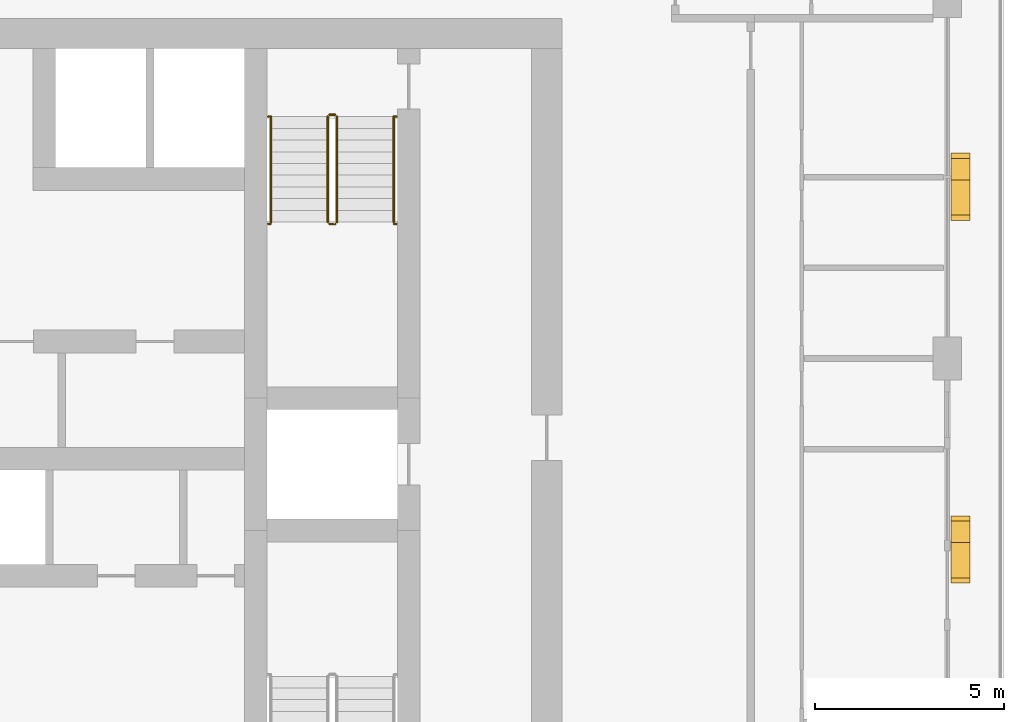
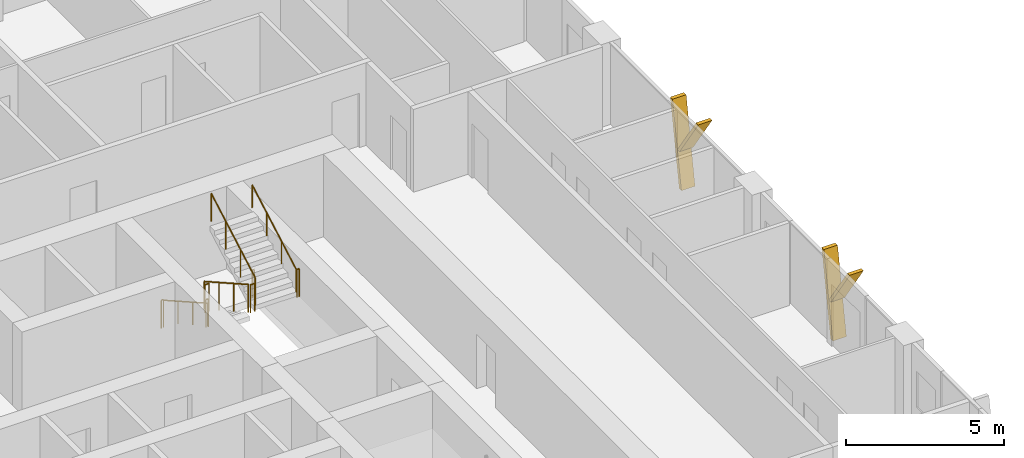
# One storey, part 21 of 22: 10 railings, 4 shading devices.
"""IFC4 building model written with IfcOpenShell, lengths in metres."""

from ifc_helpers import new_model, si_unit, direction, frame, origin, origin_2d, place, context, subcontext, project, spatial, polyline, circle, outline, extrude, material, type_object, element, save


model = new_model("IFC4")

# Units and contexts
model_context = context("Model", 3, precision=1e-05, world=origin(), true_north=direction((0.0, 1.0)))
body_context = subcontext(model_context, "Body", "Model", "MODEL_VIEW")
ifc_project = project(units=[si_unit("LENGTHUNIT", "METRE"), si_unit("AREAUNIT", "SQUARE_METRE"), si_unit("VOLUMEUNIT", "CUBIC_METRE"), si_unit("PLANEANGLEUNIT", "RADIAN"), si_unit("MASSUNIT", "GRAM", prefix="KILO")], contexts=[model_context])

# Site, building, storey
site_placement = place(None, origin())
site = spatial("IfcSite", under=ifc_project, at=site_placement, CompositionType="ELEMENT")
building_placement = place(site_placement, origin())
building = spatial("IfcBuilding", under=site, at=building_placement, Name="Madar Terraces", CompositionType="ELEMENT")
storey_placement = place(building_placement, frame((0.0, 0.0, 126.10009765625)))
storey = spatial("IfcBuildingStorey", under=building, at=storey_placement, Name="L32", CompositionType="ELEMENT", Elevation=126.10009765625)

# Shading devices
ifc_material_1 = material(Name="Aluminium, black anodised", Category="aluminium")
shading_device_type = type_object("IfcShadingDeviceType", Name="Facade fin blade 140 x 500", PredefinedType="USERDEFINED", material=ifc_material_1)
shading_device_1_placement = place(storey_placement, frame((57.949951171875, 23.929931640625, 0.0), z_axis=(0.0, 0.0, 1.0), x_axis=(0.0, 1.0, 0.0)))
element("IfcShadingDevice", 1, at=shading_device_1_placement, inside=storey, type_object=shading_device_type, Name="FIN L32 E2", ObjectType="FIN", PredefinedType="USERDEFINED", context=body_context, shape_type="SweptSolid", body=[
    extrude(outline(polyline([(0.0, 0.0), (0.14013671875, 0.0), (0.704345703125, 3.199951171875), (0.564208984375, 3.199951171875), (0.0, 0.0)])), frame((0.0, 0.25, 0.0), z_axis=(0.0, -1.0, 0.0), x_axis=(1.0, 0.0, 0.0)), (0.0, 0.0, 1.0), 0.5),
])
shading_device_2_placement = place(storey_placement, frame((57.949951171875, 24.0439453125, 1.43994140625), z_axis=(0.0, 0.0, 1.0), x_axis=(0.0, 1.0, 0.0)))
element("IfcShadingDevice", 2, at=shading_device_2_placement, inside=storey, type_object=shading_device_type, Name="FIN L32 E2 branch", ObjectType="FIN", PredefinedType="USERDEFINED", context=body_context, shape_type="SweptSolid", body=[
    extrude(outline(polyline([(0.0, 0.0), (0.139892578125, 0.0), (-1.049560546875, 1.760009765625), (-1.189697265625, 1.760009765625), (0.0, 0.0)])), frame((0.0, 0.25, 0.0), z_axis=(0.0, -1.0, 0.0), x_axis=(1.0, 0.0, 0.0)), (0.0, 0.0, 1.0), 0.5),
])
shading_device_3_placement = place(storey_placement, frame((57.949951171875, 33.530029296875, 0.0), z_axis=(0.0, 0.0, 1.0), x_axis=(0.0, 1.0, 0.0)))
element("IfcShadingDevice", 3, at=shading_device_3_placement, inside=storey, type_object=shading_device_type, Name="FIN L32 E3", ObjectType="FIN", PredefinedType="USERDEFINED", context=body_context, shape_type="SweptSolid", body=[
    extrude(outline(polyline([(0.0, 0.0), (0.139892578125, 0.0), (0.704345703125, 3.199951171875), (0.564208984375, 3.199951171875), (0.0, 0.0)])), frame((0.0, 0.25, 0.0), z_axis=(0.0, -1.0, 0.0), x_axis=(1.0, 0.0, 0.0)), (0.0, 0.0, 1.0), 0.5),
])
shading_device_4_placement = place(storey_placement, frame((57.949951171875, 33.643798828125, 1.43994140625), z_axis=(0.0, 0.0, 1.0), x_axis=(0.0, 1.0, 0.0)))
element("IfcShadingDevice", 4, at=shading_device_4_placement, inside=storey, type_object=shading_device_type, Name="FIN L32 E3 branch", ObjectType="FIN", PredefinedType="USERDEFINED", context=body_context, shape_type="SweptSolid", body=[
    extrude(outline(polyline([(0.0, 0.0), (0.14013671875, 0.0), (-1.049560546875, 1.760009765625), (-1.189697265625, 1.760009765625), (0.0, 0.0)])), frame((0.0, 0.25, 0.0), z_axis=(0.0, -1.0, 0.0), x_axis=(1.0, 0.0, 0.0)), (0.0, 0.0, 1.0), 0.5),
])

# Railings
ifc_material_2 = material(Name="Stainless steel railing", Category="steel")
railing_type_1 = type_object("IfcRailingType", Name="Stair guard 1100", PredefinedType="GUARDRAIL", material=ifc_material_2)
railing_1_placement = place(storey_placement, frame((41.199951171875, 35.199951171875, 0.1748046875)))
element("IfcRailing", 5, at=railing_1_placement, inside=storey, type_object=railing_type_1, Name="L32 ST2 stair guard 1", PredefinedType="GUARDRAIL", context=body_context, shape_type="SweptSolid", body=[
    extrude(circle(Radius=0.02392578125, at=origin_2d()), frame((0.0, 0.0, 1.076171875), z_axis=(0.0, -0.870801158333, 0.491635375706), x_axis=(1.0, 0.0, 0.0)), (0.0, 0.0, 1.0), 3.2041015625),
    extrude(circle(Radius=0.02099609375, at=origin_2d()), origin(), (0.0, 0.0, 1.0), 1.052001953125),
    extrude(circle(Radius=0.02099609375, at=origin_2d()), frame((0.0, -0.929931640625, 0.525146484375)), (0.0, 0.0, 1.0), 1.052001953125),
    extrude(circle(Radius=0.02099609375, at=origin_2d()), frame((0.0, -1.860107421875, 1.050048828125)), (0.0, 0.0, 1.0), 1.052001953125),
    extrude(circle(Radius=0.02099609375, at=origin_2d()), frame((0.0, -2.7900390625, 1.5751953125)), (0.0, 0.0, 1.0), 1.052001953125),
])
railing_2_placement = place(storey_placement, frame((41.25, 32.360107421875, 1.75)))
element("IfcRailing", 6, at=railing_2_placement, inside=storey, type_object=railing_type_1, Name="L32 ST2 stair guard 2", PredefinedType="GUARDRAIL", context=body_context, shape_type="SweptSolid", body=[
    extrude(circle(Radius=0.02392578125, at=origin_2d()), frame((0.0, 0.0, 1.076171875), z_axis=(1.0, 0.0, 0.0), x_axis=(0.0, 1.0, 0.0)), (0.0, 0.0, 1.0), 0.14990234375),
    extrude(circle(Radius=0.02099609375, at=origin_2d()), origin(), (0.0, 0.0, 1.0), 1.052001953125),
    extrude(circle(Radius=0.02099609375, at=origin_2d()), frame((0.14990234375, 0.0, 0.0)), (0.0, 0.0, 1.0), 1.052001953125),
])
railing_3_placement = place(storey_placement, frame((41.449951171875, 32.409912109375, 1.9248046875)))
element("IfcRailing", 7, at=railing_3_placement, inside=storey, type_object=railing_type_1, Name="L32 ST2 stair guard 3", PredefinedType="GUARDRAIL", context=body_context, shape_type="SweptSolid", body=[
    extrude(circle(Radius=0.02392578125, at=origin_2d()), frame((0.0, 0.0, 1.076171875), z_axis=(0.0, 0.870801158333, 0.491635375706), x_axis=(-1.0, 0.0, 0.0)), (0.0, 0.0, 1.0), 3.2041015625),
    extrude(circle(Radius=0.02099609375, at=origin_2d()), origin(), (0.0, 0.0, 1.0), 1.052001953125),
    extrude(circle(Radius=0.02099609375, at=origin_2d()), frame((0.0, 0.929931640625, 0.525146484375)), (0.0, 0.0, 1.0), 1.052001953125),
    extrude(circle(Radius=0.02099609375, at=origin_2d()), frame((0.0, 1.860107421875, 1.050048828125)), (0.0, 0.0, 1.0), 1.052001953125),
    extrude(circle(Radius=0.02099609375, at=origin_2d()), frame((0.0, 2.7900390625, 1.5751953125)), (0.0, 0.0, 1.0), 1.052001953125),
])
railing_4_placement = place(storey_placement, frame((41.25, 35.25, 0.0)))
element("IfcRailing", 8, at=railing_4_placement, inside=storey, type_object=railing_type_1, Name="L32 ST2 stair guard 4", PredefinedType="GUARDRAIL", context=body_context, shape_type="SweptSolid", body=[
    extrude(circle(Radius=0.02392578125, at=origin_2d()), frame((0.0, 0.0, 1.076171875), z_axis=(1.0, 0.0, 0.0), x_axis=(0.0, 1.0, 0.0)), (0.0, 0.0, 1.0), 0.14990234375),
    extrude(circle(Radius=0.02099609375, at=origin_2d()), origin(), (0.0, 0.0, 1.0), 1.052001953125),
    extrude(circle(Radius=0.02099609375, at=origin_2d()), frame((0.14990234375, 0.0, 0.0)), (0.0, 0.0, 1.0), 1.052001953125),
])
railing_5_placement = place(storey_placement, frame((39.6201171875, 32.360107421875, 1.75)))
element("IfcRailing", 9, at=railing_5_placement, inside=storey, type_object=railing_type_1, Name="L32 stair guard seat 1", PredefinedType="GUARDRAIL", context=body_context, shape_type="SweptSolid", body=[
    extrude(circle(Radius=0.02392578125, at=origin_2d()), frame((0.0, 0.0, 1.076171875), z_axis=(1.0, 0.0, 0.0), x_axis=(0.0, 1.0, 0.0)), (0.0, 0.0, 1.0), 0.079833984375),
    extrude(circle(Radius=0.02099609375, at=origin_2d()), origin(), (0.0, 0.0, 1.0), 1.052001953125),
    extrude(circle(Radius=0.02099609375, at=origin_2d()), frame((0.079833984375, 0.0, 0.0)), (0.0, 0.0, 1.0), 1.052001953125),
])
railing_6_placement = place(storey_placement, frame((42.949951171875, 32.360107421875, 1.75)))
element("IfcRailing", 10, at=railing_6_placement, inside=storey, type_object=railing_type_1, Name="L32 stair guard seat 2", PredefinedType="GUARDRAIL", context=body_context, shape_type="SweptSolid", body=[
    extrude(circle(Radius=0.02392578125, at=origin_2d()), frame((0.0, 0.0, 1.076171875), z_axis=(1.0, 0.0, 0.0), x_axis=(0.0, 1.0, 0.0)), (0.0, 0.0, 1.0), 0.080078125),
    extrude(circle(Radius=0.02099609375, at=origin_2d()), origin(), (0.0, 0.0, 1.0), 1.052001953125),
    extrude(circle(Radius=0.02099609375, at=origin_2d()), frame((0.080078125, 0.0, 0.0)), (0.0, 0.0, 1.0), 1.052001953125),
])
railing_7_placement = place(storey_placement, frame((39.6201171875, 35.199951171875, 0.0)))
element("IfcRailing", 11, at=railing_7_placement, inside=storey, type_object=railing_type_1, Name="L32 stair guard floor 1", PredefinedType="GUARDRAIL", context=body_context, shape_type="SweptSolid", body=[
    extrude(circle(Radius=0.02392578125, at=origin_2d()), frame((0.0, 0.0, 1.076171875), z_axis=(1.0, 0.0, 0.0), x_axis=(0.0, 1.0, 0.0)), (0.0, 0.0, 1.0), 0.079833984375),
    extrude(circle(Radius=0.02099609375, at=origin_2d()), origin(), (0.0, 0.0, 1.0), 1.052001953125),
    extrude(circle(Radius=0.02099609375, at=origin_2d()), frame((0.079833984375, 0.0, 0.0)), (0.0, 0.0, 1.0), 1.052001953125),
])
railing_8_placement = place(storey_placement, frame((42.949951171875, 35.199951171875, 0.0)))
element("IfcRailing", 12, at=railing_8_placement, inside=storey, type_object=railing_type_1, Name="L32 stair guard floor 2", PredefinedType="GUARDRAIL", context=body_context, shape_type="SweptSolid", body=[
    extrude(circle(Radius=0.02392578125, at=origin_2d()), frame((0.0, 0.0, 1.076171875), z_axis=(1.0, 0.0, 0.0), x_axis=(0.0, 1.0, 0.0)), (0.0, 0.0, 1.0), 0.080078125),
    extrude(circle(Radius=0.02099609375, at=origin_2d()), origin(), (0.0, 0.0, 1.0), 1.052001953125),
    extrude(circle(Radius=0.02099609375, at=origin_2d()), frame((0.080078125, 0.0, 0.0)), (0.0, 0.0, 1.0), 1.052001953125),
])
ifc_material_3 = material(Name="Stainless steel railing", Category="steel")
railing_type_2 = type_object("IfcRailingType", Name="Stair handrail 900", PredefinedType="HANDRAIL", material=ifc_material_3)
railing_9_placement = place(storey_placement, frame((39.699951171875, 35.199951171875, 0.1748046875)))
element("IfcRailing", 13, at=railing_9_placement, inside=storey, type_object=railing_type_2, Name="L32 ST2 stair handrail 1", PredefinedType="HANDRAIL", context=body_context, shape_type="SweptSolid", body=[
    extrude(circle(Radius=0.02392578125, at=origin_2d()), frame((0.0, 0.0, 0.8759765625), z_axis=(0.0, -0.870801158333, 0.491635375706), x_axis=(1.0, 0.0, 0.0)), (0.0, 0.0, 1.0), 3.2041015625),
    extrude(circle(Radius=0.02099609375, at=origin_2d()), origin(), (0.0, 0.0, 1.0), 0.851806640625),
    extrude(circle(Radius=0.02099609375, at=origin_2d()), frame((0.0, -0.929931640625, 0.525146484375)), (0.0, 0.0, 1.0), 0.851806640625),
    extrude(circle(Radius=0.02099609375, at=origin_2d()), frame((0.0, -1.860107421875, 1.050048828125)), (0.0, 0.0, 1.0), 0.851806640625),
    extrude(circle(Radius=0.02099609375, at=origin_2d()), frame((0.0, -2.7900390625, 1.5751953125)), (0.0, 0.0, 1.0), 0.851806640625),
])
railing_10_placement = place(storey_placement, frame((42.949951171875, 32.409912109375, 1.9248046875)))
element("IfcRailing", 14, at=railing_10_placement, inside=storey, type_object=railing_type_2, Name="L32 ST2 stair handrail 2", PredefinedType="HANDRAIL", context=body_context, shape_type="SweptSolid", body=[
    extrude(circle(Radius=0.02392578125, at=origin_2d()), frame((0.0, 0.0, 0.8759765625), z_axis=(0.0, 0.870801158333, 0.491635375706), x_axis=(-1.0, 0.0, 0.0)), (0.0, 0.0, 1.0), 3.2041015625),
    extrude(circle(Radius=0.02099609375, at=origin_2d()), origin(), (0.0, 0.0, 1.0), 0.851806640625),
    extrude(circle(Radius=0.02099609375, at=origin_2d()), frame((0.0, 0.929931640625, 0.525146484375)), (0.0, 0.0, 1.0), 0.851806640625),
    extrude(circle(Radius=0.02099609375, at=origin_2d()), frame((0.0, 1.860107421875, 1.050048828125)), (0.0, 0.0, 1.0), 0.851806640625),
    extrude(circle(Radius=0.02099609375, at=origin_2d()), frame((0.0, 2.7900390625, 1.5751953125)), (0.0, 0.0, 1.0), 0.851806640625),
])

save(model, "model.ifc")
